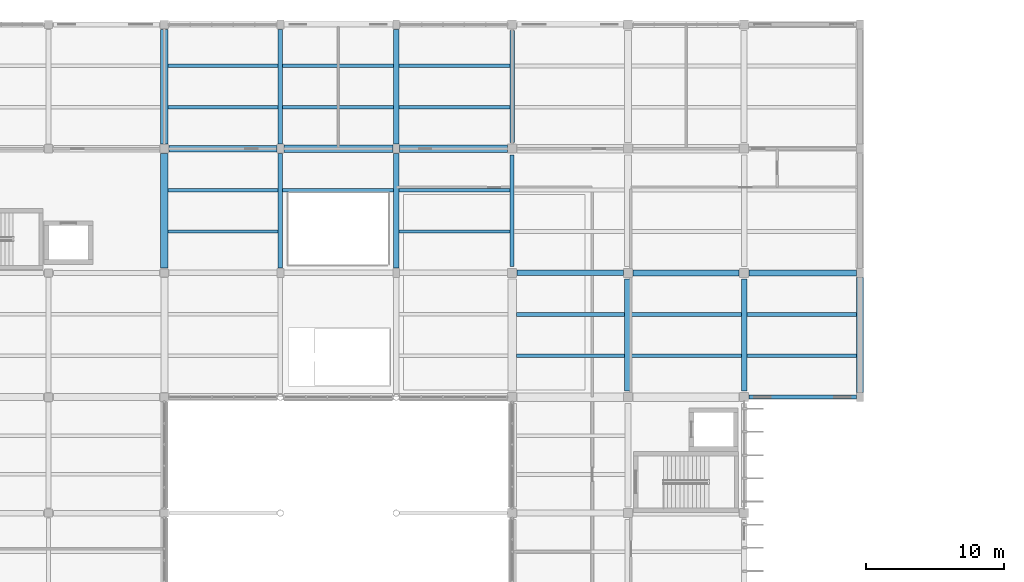
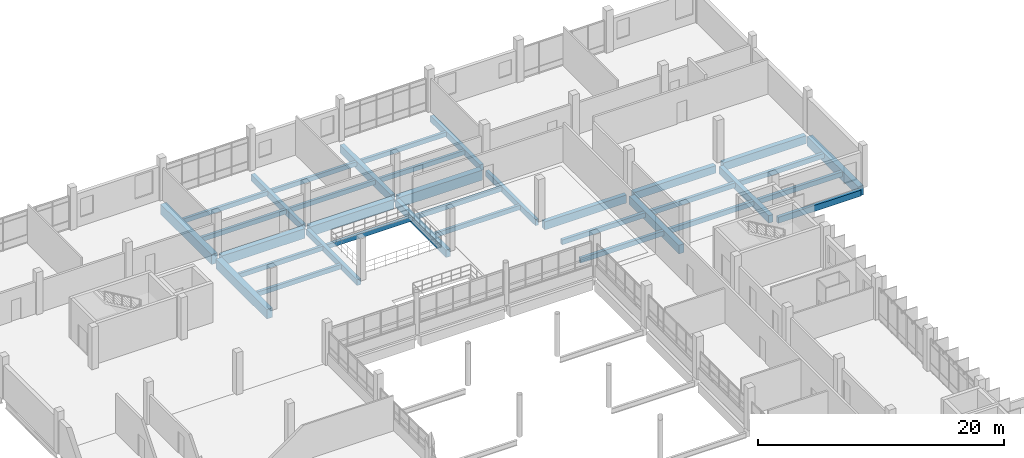
# One storey, part 60 of 101: 35 beams.
"""IFC4 building model written with IfcOpenShell, lengths in metres."""

from ifc_helpers import new_model, si_unit, direction, frame, origin, origin_2d, place, context, subcontext, project, spatial, rectangle, extrude, material, material_profile, profile_set, type_object, element, save


model = new_model("IFC4")

# Units and contexts
model_context = context("Model", 3, precision=1e-05, world=origin(), true_north=direction((0.0, 1.0)))
body_context = subcontext(model_context, "Body", "Model", "MODEL_VIEW")
ifc_project = project(units=[si_unit("LENGTHUNIT", "METRE"), si_unit("AREAUNIT", "SQUARE_METRE"), si_unit("VOLUMEUNIT", "CUBIC_METRE"), si_unit("PLANEANGLEUNIT", "RADIAN"), si_unit("MASSUNIT", "GRAM", prefix="KILO")], contexts=[model_context])

# Site, building, storey
site_placement = place(None, origin())
site = spatial("IfcSite", under=ifc_project, at=site_placement, CompositionType="ELEMENT")
building_placement = place(site_placement, origin())
building = spatial("IfcBuilding", under=site, at=building_placement, Name="Vireocrest Preparatory School", CompositionType="ELEMENT")
storey_placement = place(building_placement, frame((0.0, 0.0, 4.800048828125)))
storey = spatial("IfcBuildingStorey", under=building, at=storey_placement, Name="L01", CompositionType="ELEMENT", Elevation=4.800048828125)

# Beams
ifc_material = material(Name="Concrete 40 MPa", Category="concrete")
ifc_material_profile_1 = material_profile(ifc_material, rectangle(XDim=0.5, YDim=0.949951171875, at=origin_2d()), Name="RC 500x950")
ifc_profile_set_1 = profile_set([ifc_material_profile_1], Name="Concrete 40 MPa")
beam_type_1 = type_object("IfcBeamType", Name="RC Basement Ceiling Girder 500x950", PredefinedType="BEAM", material=ifc_profile_set_1)
beam_1_placement = place(storey_placement, frame((67.550048828125, 103.800048828125, -0.755126953125), z_axis=(1.0, 0.0, 0.0), x_axis=(0.0, 1.0, 0.0)))
element("IfcBeam", 1, at=beam_1_placement, inside=storey, type_object=beam_type_1, Name="Primary Girder B16 L01-0356", PredefinedType="BEAM", context=body_context, shape_type="SweptSolid", body=[
    extrude(rectangle(XDim=0.5, YDim=0.949951171875, at=origin_2d()), origin(), (0.0, 0.0, 1.0), 7.800048828125),
])
beam_2_placement = place(storey_placement, frame((117.60009765625, 86.14990234375, -0.755126953125), z_axis=(0.0, 1.0, 0.0), x_axis=(-1.0, 0.0, 0.0)))
element("IfcBeam", 2, at=beam_2_placement, inside=storey, type_object=beam_type_1, Name="Primary Girder B16 L01-0477", PredefinedType="BEAM", context=body_context, shape_type="SweptSolid", body=[
    extrude(rectangle(XDim=0.5, YDim=0.949951171875, at=origin_2d()), origin(), (0.0, 0.0, 1.0), 8.300048828125),
])
ifc_material_profile_2 = material_profile(ifc_material, rectangle(XDim=0.300048828125, YDim=0.60009765625, at=origin_2d()), Name="RC 300x600")
ifc_profile_set_2 = profile_set([ifc_material_profile_2], Name="Concrete 40 MPa")
beam_type_2 = type_object("IfcBeamType", Name="RC Classroom Beam 300x600", PredefinedType="BEAM", material=ifc_profile_set_2)
beam_3_placement = place(storey_placement, frame((109.550048828125, 85.800048828125, -0.580078125), z_axis=(1.0, 0.0, 0.0), x_axis=(0.0, 1.0, 0.0)))
element("IfcBeam", 3, at=beam_3_placement, inside=storey, type_object=beam_type_2, Name="Primary Girder B03 L01-0343", PredefinedType="BEAM", context=body_context, shape_type="SweptSolid", body=[
    extrude(rectangle(XDim=0.300048828125, YDim=0.60009765625, at=origin_2d()), origin(), (0.0, 0.0, 1.0), 7.800048828125),
])
beam_4_placement = place(storey_placement, frame((92.39990234375, 95.25, -0.580078125), z_axis=(0.0, 1.0, 0.0), x_axis=(-1.0, 0.0, 0.0)))
element("IfcBeam", 4, at=beam_4_placement, inside=storey, type_object=beam_type_2, Name="Primary Girder B03 L01-0446", PredefinedType="BEAM", context=body_context, shape_type="SweptSolid", body=[
    extrude(rectangle(XDim=0.300048828125, YDim=0.60009765625, at=origin_2d()), origin(), (0.0, 0.0, 1.0), 8.10009765625),
])
ifc_material_profile_3 = material_profile(ifc_material, rectangle(XDim=0.35009765625, YDim=0.60009765625, at=origin_2d()), Name="RC 350x600")
ifc_profile_set_3 = profile_set([ifc_material_profile_3], Name="Concrete 40 MPa")
beam_type_3 = type_object("IfcBeamType", Name="RC Classroom Girder 350x600", PredefinedType="BEAM", material=ifc_profile_set_3)
beam_5_placement = place(storey_placement, frame((75.60009765625, 95.14990234375, -0.580078125), z_axis=(0.0, 1.0, 0.0), x_axis=(-1.0, 0.0, 0.0)))
element("IfcBeam", 5, at=beam_5_placement, inside=storey, type_object=beam_type_3, Name="Primary Girder B04 L01-0429", PredefinedType="BEAM", context=body_context, shape_type="SweptSolid", body=[
    extrude(rectangle(XDim=0.35009765625, YDim=0.60009765625, at=origin_2d()), origin(), (0.0, 0.0, 1.0), 8.300048828125),
])
beam_6_placement = place(storey_placement, frame((92.39990234375, 104.25, -0.580078125), z_axis=(0.0, 1.0, 0.0), x_axis=(-1.0, 0.0, 0.0)))
element("IfcBeam", 6, at=beam_6_placement, inside=storey, type_object=beam_type_3, Name="Primary Girder B04 L01-0447", PredefinedType="BEAM", context=body_context, shape_type="SweptSolid", body=[
    extrude(rectangle(XDim=0.35009765625, YDim=0.60009765625, at=origin_2d()), origin(), (0.0, 0.0, 1.0), 8.10009765625),
])
ifc_material_profile_4 = material_profile(ifc_material, rectangle(XDim=0.35009765625, YDim=0.64990234375, at=origin_2d()), Name="RC 350x650")
ifc_profile_set_4 = profile_set([ifc_material_profile_4], Name="Concrete 40 MPa")
beam_type_4 = type_object("IfcBeamType", Name="RC Classroom Girder 350x650", PredefinedType="BEAM", material=ifc_profile_set_4)
beam_7_placement = place(storey_placement, frame((75.60009765625, 104.14990234375, -0.60498046875), z_axis=(0.0, 1.0, 0.0), x_axis=(-1.0, 0.0, 0.0)))
element("IfcBeam", 7, at=beam_7_placement, inside=storey, type_object=beam_type_4, Name="Primary Girder B05 L01-0430", PredefinedType="BEAM", context=body_context, shape_type="SweptSolid", body=[
    extrude(rectangle(XDim=0.35009765625, YDim=0.64990234375, at=origin_2d()), origin(), (0.0, 0.0, 1.0), 8.300048828125),
])
ifc_material_profile_5 = material_profile(ifc_material, rectangle(XDim=0.39990234375, YDim=0.75, at=origin_2d()), Name="RC 400x750")
ifc_profile_set_5 = profile_set([ifc_material_profile_5], Name="Concrete 40 MPa")
beam_type_5 = type_object("IfcBeamType", Name="RC Commons Girder 400x750", PredefinedType="BEAM", material=ifc_profile_set_5)
beam_8_placement = place(storey_placement, frame((84.0, 95.14990234375, -0.655029296875), z_axis=(0.0, 1.0, 0.0), x_axis=(-1.0, 0.0, 0.0)))
element("IfcBeam", 8, at=beam_8_placement, inside=storey, type_object=beam_type_5, Name="Primary Girder B09 L01-0434", PredefinedType="BEAM", context=body_context, shape_type="SweptSolid", body=[
    extrude(rectangle(XDim=0.39990234375, YDim=0.75, at=origin_2d()), origin(), (0.0, 0.0, 1.0), 8.300048828125),
])
beam_9_placement = place(storey_placement, frame((109.199951171875, 86.25, -0.655029296875), z_axis=(0.0, 1.0, 0.0), x_axis=(-1.0, 0.0, 0.0)))
element("IfcBeam", 9, at=beam_9_placement, inside=storey, type_object=beam_type_5, Name="Primary Girder B09 L01-0470", PredefinedType="BEAM", context=body_context, shape_type="SweptSolid", body=[
    extrude(rectangle(XDim=0.39990234375, YDim=0.75, at=origin_2d()), origin(), (0.0, 0.0, 1.0), 8.10009765625),
])
ifc_material_profile_6 = material_profile(ifc_material, rectangle(XDim=0.550048828125, YDim=1.0, at=origin_2d()), Name="RC 550x1000")
ifc_profile_set_6 = profile_set([ifc_material_profile_6], Name="Concrete 40 MPa")
beam_type_6 = type_object("IfcBeamType", Name="RC Core Coupling Beam 550x1000", PredefinedType="BEAM", material=ifc_profile_set_6)
beam_10_placement = place(storey_placement, frame((84.25, 103.800048828125, -0.780029296875), z_axis=(1.0, 0.0, 0.0), x_axis=(0.0, 1.0, 0.0)))
element("IfcBeam", 10, at=beam_10_placement, inside=storey, type_object=beam_type_6, Name="Primary Girder B18 L01-0358", PredefinedType="BEAM", context=body_context, shape_type="SweptSolid", body=[
    extrude(rectangle(XDim=0.550048828125, YDim=1.0, at=origin_2d()), origin(), (0.0, 0.0, 1.0), 7.800048828125),
])
beam_11_placement = place(storey_placement, frame((67.199951171875, 104.14990234375, -0.780029296875), z_axis=(0.0, 1.0, 0.0), x_axis=(-1.0, 0.0, 0.0)))
element("IfcBeam", 11, at=beam_11_placement, inside=storey, type_object=beam_type_6, Name="Primary Girder B18 L01-0425", PredefinedType="BEAM", context=body_context, shape_type="SweptSolid", body=[
    extrude(rectangle(XDim=0.550048828125, YDim=1.0, at=origin_2d()), origin(), (0.0, 0.0, 1.0), 8.300048828125),
])
ifc_material_profile_7 = material_profile(ifc_material, rectangle(XDim=0.39990234375, YDim=0.800048828125, at=origin_2d()), Name="RC 400x800")
ifc_profile_set_7 = profile_set([ifc_material_profile_7], Name="Concrete 40 MPa")
beam_type_7 = type_object("IfcBeamType", Name="RC Library Reading Girder 400x800", PredefinedType="BEAM", material=ifc_profile_set_7)
beam_12_placement = place(storey_placement, frame((92.75, 94.800048828125, -0.679931640625), z_axis=(1.0, 0.0, 0.0), x_axis=(0.0, 1.0, 0.0)))
element("IfcBeam", 12, at=beam_12_placement, inside=storey, type_object=beam_type_7, Name="Primary Girder B10 L01-0350", PredefinedType="BEAM", context=body_context, shape_type="SweptSolid", body=[
    extrude(rectangle(XDim=0.39990234375, YDim=0.800048828125, at=origin_2d()), origin(), (0.0, 0.0, 1.0), 7.699951171875),
])
beam_13_placement = place(storey_placement, frame((84.0, 104.14990234375, -0.679931640625), z_axis=(0.0, 1.0, 0.0), x_axis=(-1.0, 0.0, 0.0)))
element("IfcBeam", 13, at=beam_13_placement, inside=storey, type_object=beam_type_7, Name="Primary Girder B10 L01-0435", PredefinedType="BEAM", context=body_context, shape_type="SweptSolid", body=[
    extrude(rectangle(XDim=0.39990234375, YDim=0.800048828125, at=origin_2d()), origin(), (0.0, 0.0, 1.0), 8.300048828125),
])
ifc_material_profile_8 = material_profile(ifc_material, rectangle(XDim=0.449951171875, YDim=0.75, at=origin_2d()), Name="RC 450x750")
ifc_profile_set_8 = profile_set([ifc_material_profile_8], Name="Concrete 40 MPa")
beam_type_8 = type_object("IfcBeamType", Name="RC Library Stack Girder 450x750", PredefinedType="BEAM", material=ifc_profile_set_8)
beam_14_placement = place(storey_placement, frame((101.14990234375, 94.800048828125, -0.655029296875), z_axis=(1.0, 0.0, 0.0), x_axis=(0.0, 1.0, 0.0)))
element("IfcBeam", 14, at=beam_14_placement, inside=storey, type_object=beam_type_8, Name="Primary Girder B11 L01-0351", PredefinedType="BEAM", context=body_context, shape_type="SweptSolid", body=[
    extrude(rectangle(XDim=0.449951171875, YDim=0.75, at=origin_2d()), origin(), (0.0, 0.0, 1.0), 7.7001953125),
])
ifc_material_profile_9 = material_profile(ifc_material, rectangle(XDim=0.449951171875, YDim=0.800048828125, at=origin_2d()), Name="RC 450x800")
ifc_profile_set_9 = profile_set([ifc_material_profile_9], Name="Concrete 40 MPa")
beam_type_9 = type_object("IfcBeamType", Name="RC Library Stack Girder 450x800", PredefinedType="BEAM", material=ifc_profile_set_9)
beam_15_placement = place(storey_placement, frame((109.550048828125, 94.800048828125, -0.679931640625), z_axis=(1.0, 0.0, 0.0), x_axis=(0.0, 1.0, 0.0)))
element("IfcBeam", 15, at=beam_15_placement, inside=storey, type_object=beam_type_9, Name="Primary Girder B12 L01-0352", PredefinedType="BEAM", context=body_context, shape_type="SweptSolid", body=[
    extrude(rectangle(XDim=0.449951171875, YDim=0.800048828125, at=origin_2d()), origin(), (0.0, 0.0, 1.0), 7.800048828125),
])
ifc_material_profile_10 = material_profile(ifc_material, rectangle(XDim=0.5, YDim=0.85009765625, at=origin_2d()), Name="RC 500x850")
ifc_profile_set_10 = profile_set([ifc_material_profile_10], Name="Concrete 40 MPa")
beam_type_10 = type_object("IfcBeamType", Name="RC Podium Girder 500x850", PredefinedType="BEAM", material=ifc_profile_set_10)
beam_16_placement = place(storey_placement, frame((100.800048828125, 86.25, -0.705078125), z_axis=(0.0, 1.0, 0.0), x_axis=(-1.0, 0.0, 0.0)))
element("IfcBeam", 16, at=beam_16_placement, inside=storey, type_object=beam_type_10, Name="Primary Girder B14 L01-0457", PredefinedType="BEAM", context=body_context, shape_type="SweptSolid", body=[
    extrude(rectangle(XDim=0.5, YDim=0.85009765625, at=origin_2d()), origin(), (0.0, 0.0, 1.0), 8.10009765625),
])
ifc_material_profile_11 = material_profile(ifc_material, rectangle(XDim=0.25, YDim=0.449951171875, at=origin_2d()), Name="RC 250x450")
ifc_profile_set_11 = profile_set([ifc_material_profile_11], Name="Concrete 40 MPa")
beam_type_11 = type_object("IfcBeamType", Name="RC Secondary Floor Joist 250x450", PredefinedType="JOIST", material=ifc_profile_set_11)
for number, where, z_axis, x_axis, name in (
    (17, (67.47509765625, 97.800048828125, -0.505126953125), (1.0, 0.0, 0.0), (0.0, 1.0, 0.0), "Secondary Joist J01 L01-0570"),
    (18, (67.47509765625, 100.800048828125, -0.505126953125), (1.0, 0.0, 0.0), (0.0, 1.0, 0.0), "Secondary Joist J01 L01-0571"),
    (19, (67.47509765625, 106.800048828125, -0.505126953125), (1.0, 0.0, 0.0), (0.0, 1.0, 0.0), "Secondary Joist J01 L01-0572"),
    (20, (67.47509765625, 109.800048828125, -0.505126953125), (1.0, 0.0, 0.0), (0.0, 1.0, 0.0), "Secondary Joist J01 L01-0573"),
):
    element("IfcBeam", number, at=place(storey_placement, frame(where, z_axis=z_axis, x_axis=x_axis)), inside=storey, type_object=beam_type_11, Name=name, PredefinedType="JOIST", context=body_context, shape_type="SweptSolid", body=[
        extrude(rectangle(XDim=0.25, YDim=0.449951171875, at=origin_2d()), origin(), (0.0, 0.0, 1.0), 7.949951171875),
    ])
for number, where, z_axis, x_axis, name in (
    (21, (75.77490234375, 100.800048828125, -0.505126953125), (1.0, 0.0, 0.0), (0.0, 1.0, 0.0), "Secondary Joist J01 L01-0576"),
    (22, (75.77490234375, 106.800048828125, -0.505126953125), (1.0, 0.0, 0.0), (0.0, 1.0, 0.0), "Secondary Joist J01 L01-0577"),
    (23, (75.77490234375, 109.800048828125, -0.505126953125), (1.0, 0.0, 0.0), (0.0, 1.0, 0.0), "Secondary Joist J01 L01-0578"),
):
    element("IfcBeam", number, at=place(storey_placement, frame(where, z_axis=z_axis, x_axis=x_axis)), inside=storey, type_object=beam_type_11, Name=name, PredefinedType="JOIST", context=body_context, shape_type="SweptSolid", body=[
        extrude(rectangle(XDim=0.25, YDim=0.449951171875, at=origin_2d()), origin(), (0.0, 0.0, 1.0), 8.025146484375),
    ])
for number, where, z_axis, x_axis, name in (
    (24, (84.199951171875, 97.800048828125, -0.505126953125), (1.0, 0.0, 0.0), (0.0, 1.0, 0.0), "Secondary Joist J01 L01-0583"),
    (25, (84.199951171875, 100.800048828125, -0.505126953125), (1.0, 0.0, 0.0), (0.0, 1.0, 0.0), "Secondary Joist J01 L01-0584"),
):
    element("IfcBeam", number, at=place(storey_placement, frame(where, z_axis=z_axis, x_axis=x_axis)), inside=storey, type_object=beam_type_11, Name=name, PredefinedType="JOIST", context=body_context, shape_type="SweptSolid", body=[
        extrude(rectangle(XDim=0.25, YDim=0.449951171875, at=origin_2d()), origin(), (0.0, 0.0, 1.0), 8.050048828125),
    ])
for number, where, z_axis, x_axis, name in (
    (26, (84.199951171875, 106.800048828125, -0.505126953125), (1.0, 0.0, 0.0), (0.0, 1.0, 0.0), "Secondary Joist J01 L01-0585"),
    (27, (84.199951171875, 109.800048828125, -0.505126953125), (1.0, 0.0, 0.0), (0.0, 1.0, 0.0), "Secondary Joist J01 L01-0586"),
):
    element("IfcBeam", number, at=place(storey_placement, frame(where, z_axis=z_axis, x_axis=x_axis)), inside=storey, type_object=beam_type_11, Name=name, PredefinedType="JOIST", context=body_context, shape_type="SweptSolid", body=[
        extrude(rectangle(XDim=0.25, YDim=0.449951171875, at=origin_2d()), origin(), (0.0, 0.0, 1.0), 8.025146484375),
    ])
ifc_material_profile_12 = material_profile(ifc_material, rectangle(XDim=0.280029296875, YDim=0.47998046875, at=origin_2d()), Name="RC 280x480")
ifc_profile_set_12 = profile_set([ifc_material_profile_12], Name="Concrete 40 MPa")
beam_type_12 = type_object("IfcBeamType", Name="RC Secondary Lab Joist 280x480", PredefinedType="JOIST", material=ifc_profile_set_12)
for number, where, z_axis, x_axis, name in (
    (28, (92.699951171875, 88.800048828125, -0.52001953125), (1.0, 0.0, 0.0), (0.0, 1.0, 0.0), "Secondary Joist J02 L01-0603"),
    (29, (92.699951171875, 91.800048828125, -0.52001953125), (1.0, 0.0, 0.0), (0.0, 1.0, 0.0), "Secondary Joist J02 L01-0604"),
):
    element("IfcBeam", number, at=place(storey_placement, frame(where, z_axis=z_axis, x_axis=x_axis)), inside=storey, type_object=beam_type_12, Name=name, PredefinedType="JOIST", context=body_context, shape_type="SweptSolid", body=[
        extrude(rectangle(XDim=0.280029296875, YDim=0.47998046875, at=origin_2d()), origin(), (0.0, 0.0, 1.0), 7.85009765625),
    ])
for number, where, z_axis, x_axis, name in (
    (30, (101.050048828125, 88.800048828125, -0.52001953125), (1.0, 0.0, 0.0), (0.0, 1.0, 0.0), "Secondary Joist J02 L01-0621"),
    (31, (101.050048828125, 91.800048828125, -0.52001953125), (1.0, 0.0, 0.0), (0.0, 1.0, 0.0), "Secondary Joist J02 L01-0622"),
):
    element("IfcBeam", number, at=place(storey_placement, frame(where, z_axis=z_axis, x_axis=x_axis)), inside=storey, type_object=beam_type_12, Name=name, PredefinedType="JOIST", context=body_context, shape_type="SweptSolid", body=[
        extrude(rectangle(XDim=0.280029296875, YDim=0.47998046875, at=origin_2d()), origin(), (0.0, 0.0, 1.0), 7.949951171875),
    ])
for number, where, z_axis, x_axis, name in (
    (32, (109.39990234375, 88.800048828125, -0.52001953125), (1.0, 0.0, 0.0), (0.0, 1.0, 0.0), "Secondary Joist J02 L01-0635"),
    (33, (109.39990234375, 91.800048828125, -0.52001953125), (1.0, 0.0, 0.0), (0.0, 1.0, 0.0), "Secondary Joist J02 L01-0636"),
):
    element("IfcBeam", number, at=place(storey_placement, frame(where, z_axis=z_axis, x_axis=x_axis)), inside=storey, type_object=beam_type_12, Name=name, PredefinedType="JOIST", context=body_context, shape_type="SweptSolid", body=[
        extrude(rectangle(XDim=0.280029296875, YDim=0.47998046875, at=origin_2d()), origin(), (0.0, 0.0, 1.0), 7.9501953125),
    ])
ifc_material_profile_13 = material_profile(ifc_material, rectangle(XDim=0.550048828125, YDim=0.949951171875, at=origin_2d()), Name="RC 550x950")
ifc_profile_set_13 = profile_set([ifc_material_profile_13], Name="Concrete 40 MPa")
beam_type_13 = type_object("IfcBeamType", Name="RC Setback Edge Girder 550x950", PredefinedType="BEAM", material=ifc_profile_set_13)
beam_17_placement = place(storey_placement, frame((75.85009765625, 103.800048828125, -0.755126953125), z_axis=(1.0, 0.0, 0.0), x_axis=(0.0, 1.0, 0.0)))
element("IfcBeam", 34, at=beam_17_placement, inside=storey, type_object=beam_type_13, Name="Primary Girder B17 L01-0357", PredefinedType="BEAM", context=body_context, shape_type="SweptSolid", body=[
    extrude(rectangle(XDim=0.550048828125, YDim=0.949951171875, at=origin_2d()), origin(), (0.0, 0.0, 1.0), 7.89990234375),
])
beam_18_placement = place(storey_placement, frame((67.199951171875, 95.14990234375, -0.755126953125), z_axis=(0.0, 1.0, 0.0), x_axis=(-1.0, 0.0, 0.0)))
element("IfcBeam", 35, at=beam_18_placement, inside=storey, type_object=beam_type_13, Name="Primary Girder B17 L01-0424", PredefinedType="BEAM", context=body_context, shape_type="SweptSolid", body=[
    extrude(rectangle(XDim=0.550048828125, YDim=0.949951171875, at=origin_2d()), origin(), (0.0, 0.0, 1.0), 8.300048828125),
])

save(model, "model.ifc")
